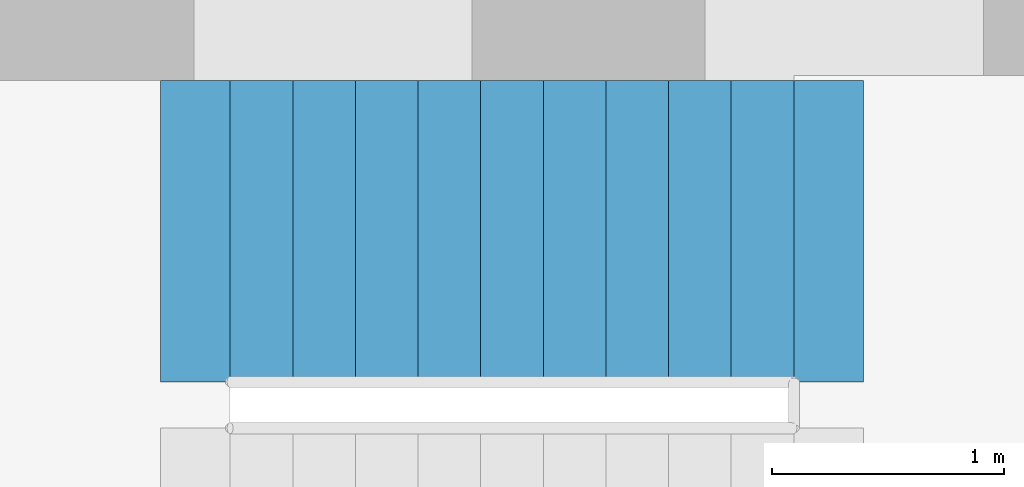
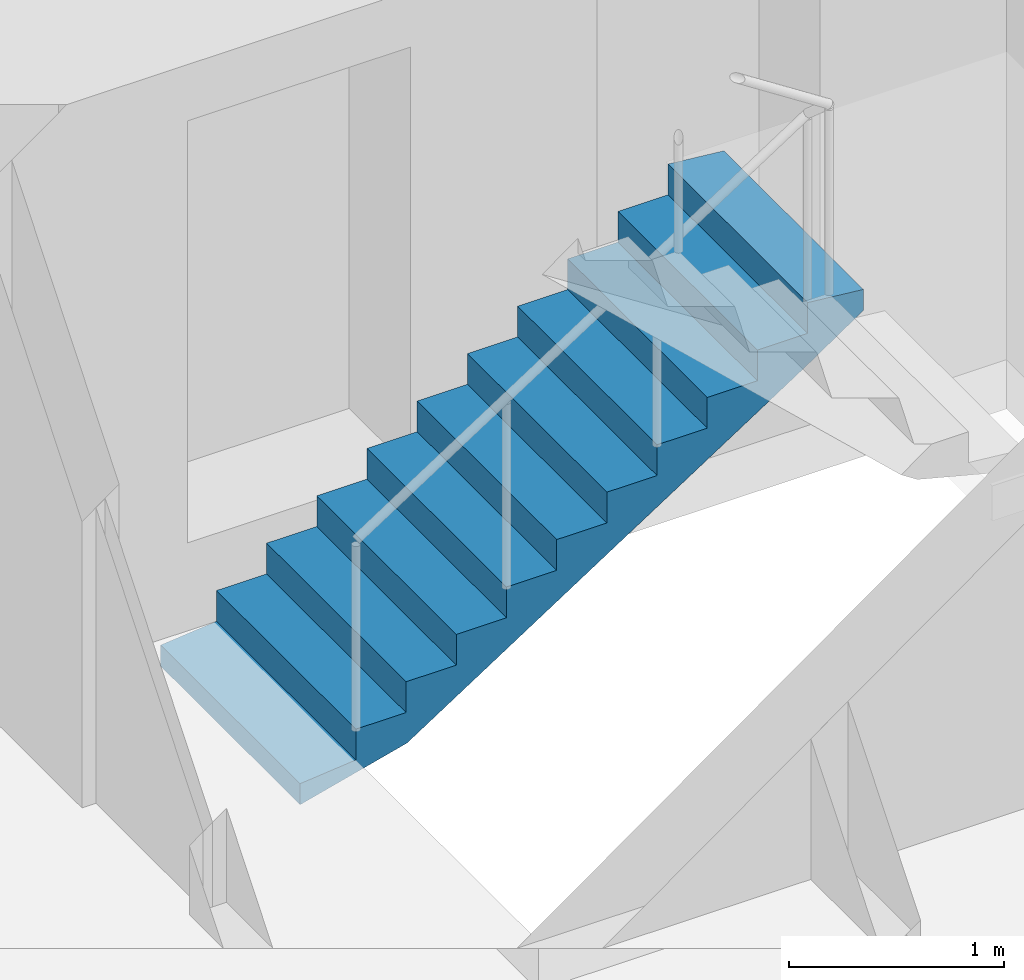
# One storey, part 11 of 19: 1 stair flight, 1 element without a shape of its own.
"""IFC4 building model written with IfcOpenShell, lengths in metres."""

from ifc_helpers import new_model, si_unit, direction, frame, origin, place, context, subcontext, project, spatial, polyline, outline, extrude, material, type_object, element, aggregate, save


model = new_model("IFC4")

# Units and contexts
model_context = context("Model", 3, precision=1e-05, world=origin(), true_north=direction((0.0, 1.0)))
body_context = subcontext(model_context, "Body", "Model", "MODEL_VIEW")
ifc_project = project(units=[si_unit("LENGTHUNIT", "METRE"), si_unit("AREAUNIT", "SQUARE_METRE"), si_unit("VOLUMEUNIT", "CUBIC_METRE"), si_unit("PLANEANGLEUNIT", "RADIAN"), si_unit("MASSUNIT", "GRAM", prefix="KILO")], contexts=[model_context])

# Site, building, storey
site_placement = place(None, origin())
site = spatial("IfcSite", under=ifc_project, at=site_placement, CompositionType="ELEMENT")
building_placement = place(site_placement, origin())
building = spatial("IfcBuilding", under=site, at=building_placement, Name="Vermilion Gate Residences", CompositionType="ELEMENT")
storey_placement = place(building_placement, frame((0.0, 0.0, 53.199951171875)))
storey = spatial("IfcBuildingStorey", under=building, at=storey_placement, Name="L12", CompositionType="ELEMENT", Elevation=53.199951171875)

# Stair, stair flight
ifc_material_1 = material(Name="Concrete C50", Category="concrete")
stair_type = type_object("IfcStairType", Name="SPECIAL ESCAPE STAIR 1300", PredefinedType="HALF_TURN_STAIR", material=ifc_material_1)
stair_placement = place(storey_placement, origin())
stair = element("IfcStair", 1, at=stair_placement, inside=storey, type_object=stair_type, Name="Special escape stair STB1-12", PredefinedType="HALF_TURN_STAIR")
ifc_material_2 = material(Name="Concrete C50", Category="concrete")
stair_flight_type = type_object("IfcStairFlightType", Name="STAIR FLIGHT 1300 RC C50", PredefinedType="STRAIGHT", material=ifc_material_2)
stair_flight_placement = place(storey_placement, frame((19.75, 56.949951171875, 0.0), z_axis=(0.0, 0.0, 1.0), x_axis=(1.0, 0.0, 0.0)))
stair_flight = element("IfcStairFlight", 2, at=stair_flight_placement, type_object=stair_flight_type, Name="STB1-12 flight 1", NumberOfRisers=10, NumberOfTreads=9, PredefinedType="STRAIGHT", RiserHeight=0.175, TreadLength=0.27, context=body_context, shape_type="SweptSolid", body=[
    extrude(outline(polyline([(-0.300048828125, -0.14990234375), (-0.300048828125, -0.030029296875), (0.0, 0.0), (0.0, 0.175048828125), (0.27001953125, 0.175048828125), (0.27001953125, 0.35009765625), (0.5400390625, 0.35009765625), (0.5400390625, 0.52490234375), (0.81005859375, 0.52490234375), (0.81005859375, 0.699951171875), (1.080078125, 0.699951171875), (1.080078125, 0.875), (1.35009765625, 0.875), (1.35009765625, 1.050048828125), (1.6201171875, 1.050048828125), (1.6201171875, 1.22509765625), (1.889892578125, 1.22509765625), (1.889892578125, 1.39990234375), (2.159912109375, 1.39990234375), (2.159912109375, 1.574951171875), (2.429931640625, 1.574951171875), (2.429931640625, 1.75), (2.72998046875, 1.719970703125), (2.72998046875, 1.60009765625), (2.429931640625, 1.396484375), (0.275634765625, 0.0), (-0.300048828125, -0.14990234375)])), frame((0.0, 0.64990234375, 0.0), z_axis=(0.0, -1.0, 0.0), x_axis=(1.0, 0.0, 0.0)), (0.0, 0.0, 1.0), 1.300048828125),
])
aggregate(stair, [stair_flight])

save(model, "model.ifc")
